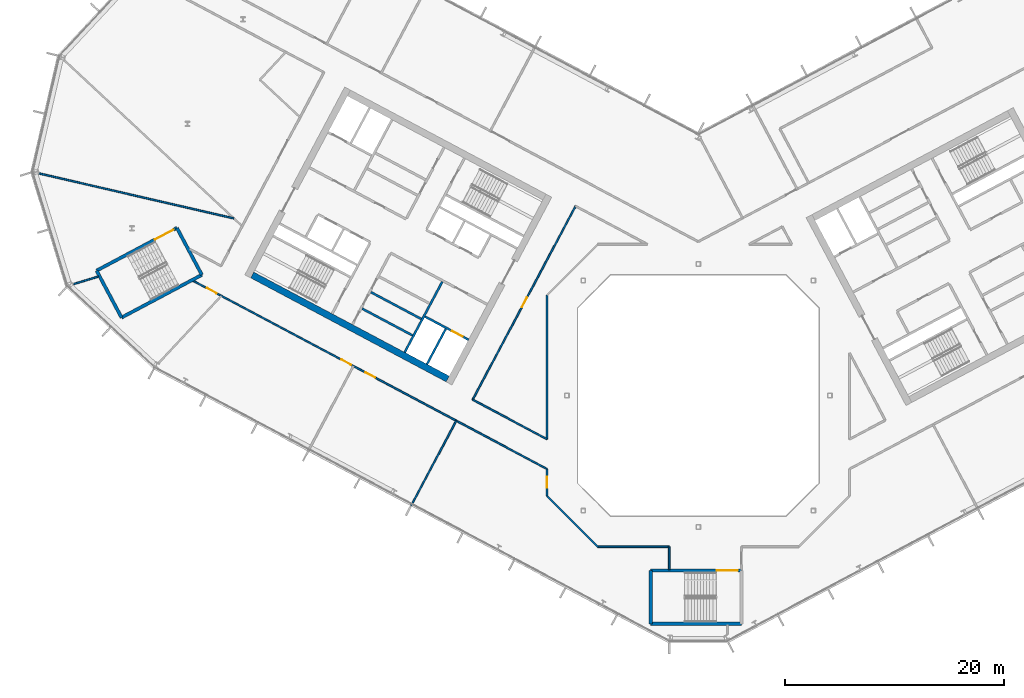
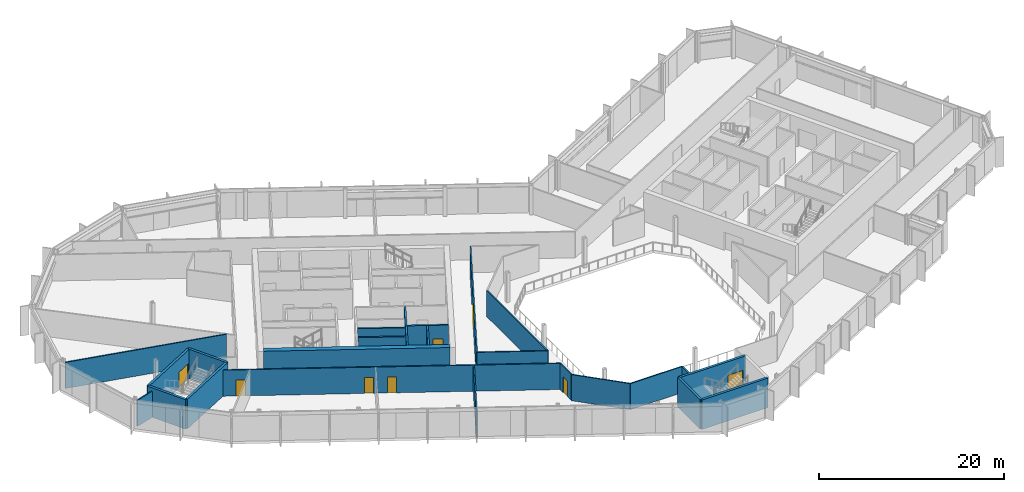
# One storey, part 12 of 26: 24 walls, 8 doors, 8 openings.
"""IFC4 building model written with IfcOpenShell, lengths in metres."""

from ifc_helpers import new_model, si_unit, direction, frame, frame_2d, origin, place, context, subcontext, project, spatial, rectangle, extrude, material, layer, layer_set, type_object, element, fill, save


model = new_model("IFC4")

# Units and contexts
model_context = context("Model", 3, precision=1e-05, world=origin(), true_north=direction((0.0, 1.0)))
body_context = subcontext(model_context, "Body", "Model", "MODEL_VIEW")
ifc_project = project(units=[si_unit("LENGTHUNIT", "METRE"), si_unit("AREAUNIT", "SQUARE_METRE"), si_unit("VOLUMEUNIT", "CUBIC_METRE"), si_unit("PLANEANGLEUNIT", "RADIAN"), si_unit("MASSUNIT", "GRAM", prefix="KILO")], contexts=[model_context])

# Site, building, storey
site_placement = place(None, origin())
site = spatial("IfcSite", under=ifc_project, at=site_placement, CompositionType="ELEMENT")
building_placement = place(site_placement, origin())
building = spatial("IfcBuilding", under=site, at=building_placement, Name="Cormorant Relay Tower", CompositionType="ELEMENT")
storey_placement = place(building_placement, frame((0.0, 0.0, 248.10009765625)))
storey = spatial("IfcBuildingStorey", under=building, at=storey_placement, Name="L55", CompositionType="ELEMENT", Elevation=248.10009765625)

# Walls
ifc_material_1 = material(Name="Concrete 40 MPa", Category="concrete")
ifc_layer_1 = layer(ifc_material_1, 0.199951171875)
ifc_layer_set_1 = layer_set([ifc_layer_1], Name="Core internal wall 200")
wall_type_1 = type_object("IfcWallType", Name="Core internal wall 200", PredefinedType="SOLIDWALL", material=ifc_layer_set_1)
for number, where, z_axis, x_axis, name in (
    (1, (-25.279541015625, 6.985595703125, 0.0), (0.0, 0.0, 1.0), (-0.882934506056, 0.469496174655, 0.0), "L55 core A shaft and room wall"),
    (2, (-26.07763671875, 5.484619140625, 0.0), (0.0, 0.0, 1.0), (-0.882934506056, 0.469496174655, 0.0), "L55 core A shaft and room wall"),
):
    element("IfcWall", number, at=place(storey_placement, frame(where, z_axis=z_axis, x_axis=x_axis)), inside=storey, type_object=wall_type_1, Name=name, PredefinedType="SOLIDWALL", context=body_context, shape_type="SweptSolid", body=[
        extrude(rectangle(XDim=5.199951171875, YDim=0.199951171875, at=frame_2d((2.60009765625, 0.0))), origin(), (0.0, 0.0, 1.0), 3.89990234375),
    ])
ifc_material_2 = material(Name="Concrete 50 MPa", Category="concrete")
ifc_layer_2 = layer(ifc_material_2, 0.199951171875)
ifc_layer_set_2 = layer_set([ifc_layer_2], Name="Core shaft wall 200")
wall_type_2 = type_object("IfcWallType", Name="Core shaft wall 200", PredefinedType="SHEAR", material=ifc_layer_set_2)
wall_1_placement = place(storey_placement, frame((-23.04296875, 6.07958984375, 0.0), z_axis=(0.0, 0.0, 1.0), x_axis=(-0.469494272526, -0.882935517501, 0.0)))
element("IfcWall", 3, at=wall_1_placement, inside=storey, type_object=wall_type_2, Name="L55 core A shaft wall", PredefinedType="SHEAR", context=body_context, shape_type="SweptSolid", body=[
    extrude(rectangle(XDim=3.64990234375, YDim=0.199951171875, at=frame_2d((1.824951171875, 0.0))), origin(), (0.0, 0.0, 1.0), 3.89990234375),
])
wall_2_placement = place(storey_placement, frame((-23.360107421875, 10.38232421875, 0.0), z_axis=(0.0, 0.0, 1.0), x_axis=(-0.469480409012, -0.88294288918, 0.0)))
element("IfcWall", 4, at=wall_2_placement, inside=storey, type_object=wall_type_2, Name="L55 core A shaft wall", PredefinedType="SHEAR", context=body_context, shape_type="SweptSolid", body=[
    extrude(rectangle(XDim=7.300048828125, YDim=0.199951171875, at=frame_2d((3.64990234375, 0.0))), origin(), (0.0, 0.0, 1.0), 3.89990234375),
])

# Wall, opening, door
wall_3_placement = place(storey_placement, frame((-20.96533203125, 5.088134765625, 0.0), z_axis=(0.0, 0.0, 1.0), x_axis=(-0.882925986334, 0.469512196493, 0.0)))
wall_3 = element("IfcWall", 5, at=wall_3_placement, inside=storey, type_object=wall_type_2, Name="L55 core A shaft wall", PredefinedType="SHEAR", context=body_context, shape_type="SweptSolid", body=[
    extrude(rectangle(XDim=4.5, YDim=0.199951171875, at=frame_2d((2.25, 0.0))), origin(), (0.0, 0.0, 1.0), 3.89990234375),
])
opening_1_placement = place(wall_3_placement, frame((0.60009765625, 0.0, 0.0)))
opening_1 = element("IfcOpeningElement", 6, at=opening_1_placement, cuts=wall_3, Name="Opening LD1-063", PredefinedType="OPENING", context=body_context, shape_type="SweptSolid", body=[
    extrude(rectangle(XDim=1.10009765625, YDim=2.10009765625, at=frame_2d((0.550048828125, 1.050048828125))), frame((0.0, 0.10986328125, 0.0), z_axis=(0.0, -1.0, 0.0), x_axis=(1.0, 0.0, 0.0)), (0.0, 0.0, 1.0), 0.219970703125),
])
ifc_material_3 = material(Name="Stainless steel 316", Category="steel")
door_type_1 = type_object("IfcDoorType", Name="Lift landing door 1100x2100", OperationType="DOUBLE_DOOR_SLIDING", PredefinedType="DOOR", material=ifc_material_3)
door_1_placement = place(opening_1_placement, origin())
door_1 = element("IfcDoor", 7, at=door_1_placement, inside=storey, type_object=door_type_1, Name="FF1 landing door", OperationType="DOUBLE_DOOR_SLIDING", OverallHeight=2.10009765625, OverallWidth=1.10009765625, PredefinedType="DOOR", context=body_context, shape_type="SweptSolid", body=[
    extrude(rectangle(XDim=1.10009765625, YDim=2.10009765625, at=frame_2d((0.550048828125, 1.050048828125))), frame((0.0, 0.02490234375, 0.0), z_axis=(0.0, -1.0, 0.0), x_axis=(1.0, 0.0, 0.0)), (0.0, 0.0, 1.0), 0.050048828125),
])
fill(opening_1, door_1)

# Wall
ifc_material_4 = material(Name="Concrete 50 MPa", Category="concrete")
ifc_layer_3 = layer(ifc_material_4, 0.60009765625)
ifc_layer_set_3 = layer_set([ifc_layer_3], Name="Core wall 600")
wall_type_3 = type_object("IfcWallType", Name="Core wall 600", PredefinedType="SHEAR", material=ifc_layer_set_3)
wall_4_placement = place(storey_placement, frame((-22.86669921875, 1.51220703125, 0.0), z_axis=(0.0, 0.0, 1.0), x_axis=(-0.88294509198, 0.469476266226, 0.0)))
element("IfcWall", 8, at=wall_4_placement, inside=storey, type_object=wall_type_3, Name="L55 core A wall", PredefinedType="SHEAR", context=body_context, shape_type="SweptSolid", body=[
    extrude(rectangle(XDim=20.199951171875, YDim=0.60009765625, at=frame_2d((10.10009765625, 0.0))), origin(), (0.0, 0.0, 1.0), 3.89990234375),
])

# Wall, opening, door
ifc_material_5 = material(Name="Gypsum board fire partition")
ifc_layer_4 = layer(ifc_material_5, 0.14990234375)
ifc_layer_set_4 = layer_set([ifc_layer_4], Name="Corridor partition 150 EI 60")
wall_type_4 = type_object("IfcWallType", Name="Corridor partition 150 EI 60", PredefinedType="PARTITIONING", material=ifc_layer_set_4)
wall_5_placement = place(storey_placement, frame((-13.800048828125, -9.159912109375, 0.0), z_axis=(0.0, 0.0, 1.0), x_axis=(0.0, 1.0, 0.0)))
wall_5 = element("IfcWall", 9, at=wall_5_placement, inside=storey, type_object=wall_type_4, Name="wall/L55/part/014", PredefinedType="PARTITIONING", context=body_context, shape_type="SweptSolid", body=[
    extrude(rectangle(XDim=2.453857421875, YDim=0.14990234375, at=frame_2d((1.22705078125, 0.0))), origin(), (0.0, 0.0, 1.0), 3.449951171875),
])
opening_2_placement = place(wall_5_placement, frame((0.75, 0.0, 0.0)))
opening_2 = element("IfcOpeningElement", 10, at=opening_2_placement, cuts=wall_5, Name="Opening DS-180", PredefinedType="OPENING", context=body_context, shape_type="SweptSolid", body=[
    extrude(rectangle(XDim=1.0, YDim=2.10009765625, at=frame_2d((0.5, 1.050048828125))), frame((0.0, 0.0849609375, 0.0), z_axis=(0.0, -1.0, 0.0), x_axis=(1.0, 0.0, 0.0)), (0.0, 0.0, 1.0), 0.169921875),
])
ifc_material_6 = material(Name="Timber door leaf", Category="wood")
door_type_2 = type_object("IfcDoorType", Name="Suite door 1000x2100", OperationType="SINGLE_SWING_LEFT", PredefinedType="DOOR", material=ifc_material_6)
door_2_placement = place(opening_2_placement, origin())
door_2 = element("IfcDoor", 11, at=door_2_placement, inside=storey, type_object=door_type_2, Name="door/L55/009", OperationType="SINGLE_SWING_RIGHT", OverallHeight=2.10009765625, OverallWidth=1.0, PredefinedType="DOOR", context=body_context, shape_type="SweptSolid", body=[
    extrude(rectangle(XDim=1.0, YDim=2.10009765625, at=frame_2d((0.5, 1.050048828125))), frame((0.0, 0.02490234375, 0.0), z_axis=(0.0, -1.0, 0.0), x_axis=(1.0, 0.0, 0.0)), (0.0, 0.0, 1.0), 0.050048828125),
])
fill(opening_2, door_2)

# Wall, openings, doors
wall_6_placement = place(storey_placement, frame((-13.800048828125, -6.7060546875, 0.0), z_axis=(0.0, 0.0, 1.0), x_axis=(-0.882947286887, 0.469472138235, 0.0)))
wall_6 = element("IfcWall", 12, at=wall_6_placement, inside=storey, type_object=wall_type_4, Name="wall/L55/part/015", PredefinedType="PARTITIONING", context=body_context, shape_type="SweptSolid", body=[
    extrude(rectangle(XDim=36.57080078125, YDim=0.14990234375, at=frame_2d((18.285400390625, 0.0))), origin(), (0.0, 0.0, 1.0), 3.449951171875),
])
opening_3_placement = place(wall_6_placement, frame((34.14990234375, 0.0, 0.0)))
opening_3 = element("IfcOpeningElement", 13, at=opening_3_placement, cuts=wall_6, Name="Opening DS-177", PredefinedType="OPENING", context=body_context, shape_type="SweptSolid", body=[
    extrude(rectangle(XDim=1.0, YDim=2.10009765625, at=frame_2d((0.5, 1.050048828125))), frame((0.0, 0.0849609375, 0.0), z_axis=(0.0, -1.0, 0.0), x_axis=(1.0, 0.0, 0.0)), (0.0, 0.0, 1.0), 0.169921875),
])
opening_4_placement = place(wall_6_placement, frame((20.25, 0.0, 0.0)))
opening_4 = element("IfcOpeningElement", 14, at=opening_4_placement, cuts=wall_6, Name="Opening DS-178", PredefinedType="OPENING", context=body_context, shape_type="SweptSolid", body=[
    extrude(rectangle(XDim=1.0, YDim=2.10009765625, at=frame_2d((0.5, 1.050048828125))), frame((0.0, 0.0849609375, 0.0), z_axis=(0.0, -1.0, 0.0), x_axis=(1.0, 0.0, 0.0)), (0.0, 0.0, 1.0), 0.169921875),
])
opening_5_placement = place(wall_6_placement, frame((17.75, 0.0, 0.0)))
opening_5 = element("IfcOpeningElement", 15, at=opening_5_placement, cuts=wall_6, Name="Opening DS-179", PredefinedType="OPENING", context=body_context, shape_type="SweptSolid", body=[
    extrude(rectangle(XDim=1.0, YDim=2.10009765625, at=frame_2d((0.5, 1.050048828125))), frame((0.0, 0.0849609375, 0.0), z_axis=(0.0, -1.0, 0.0), x_axis=(1.0, 0.0, 0.0)), (0.0, 0.0, 1.0), 0.169921875),
])
door_3_placement = place(opening_3_placement, origin())
door_3 = element("IfcDoor", 16, at=door_3_placement, inside=storey, type_object=door_type_2, Name="door/L55/006", OperationType="SINGLE_SWING_LEFT", OverallHeight=2.10009765625, OverallWidth=1.0, PredefinedType="DOOR", context=body_context, shape_type="SweptSolid", body=[
    extrude(rectangle(XDim=1.0, YDim=2.10009765625, at=frame_2d((0.5, 1.050048828125))), frame((0.0, 0.02490234375, 0.0), z_axis=(0.0, -1.0, 0.0), x_axis=(1.0, 0.0, 0.0)), (0.0, 0.0, 1.0), 0.050048828125),
])
fill(opening_3, door_3)
door_4_placement = place(opening_4_placement, origin())
door_4 = element("IfcDoor", 17, at=door_4_placement, inside=storey, type_object=door_type_2, Name="door/L55/007", OperationType="SINGLE_SWING_LEFT", OverallHeight=2.10009765625, OverallWidth=1.0, PredefinedType="DOOR", context=body_context, shape_type="SweptSolid", body=[
    extrude(rectangle(XDim=1.0, YDim=2.10009765625, at=frame_2d((0.5, 1.050048828125))), frame((0.0, 0.02490234375, 0.0), z_axis=(0.0, -1.0, 0.0), x_axis=(1.0, 0.0, 0.0)), (0.0, 0.0, 1.0), 0.050048828125),
])
fill(opening_4, door_4)
door_5_placement = place(opening_5_placement, origin())
door_5 = element("IfcDoor", 18, at=door_5_placement, inside=storey, type_object=door_type_2, Name="door/L55/008", OperationType="SINGLE_SWING_RIGHT", OverallHeight=2.10009765625, OverallWidth=1.0, PredefinedType="DOOR", context=body_context, shape_type="SweptSolid", body=[
    extrude(rectangle(XDim=1.0, YDim=2.10009765625, at=frame_2d((0.5, 1.050048828125))), frame((0.0, 0.02490234375, 0.0), z_axis=(0.0, -1.0, 0.0), x_axis=(1.0, 0.0, 0.0)), (0.0, 0.0, 1.0), 0.050048828125),
])
fill(opening_5, door_5)

# Walls
wall_7_placement = place(storey_placement, frame((-13.800048828125, -9.159912109375, 0.0), z_axis=(0.0, 0.0, 1.0), x_axis=(0.707106781187, -0.707106781187, 0.0)))
element("IfcWall", 19, at=wall_7_placement, inside=storey, type_object=wall_type_4, Name="wall/L55/part/022", PredefinedType="PARTITIONING", context=body_context, shape_type="SweptSolid", body=[
    extrude(rectangle(XDim=6.562255859375, YDim=0.14990234375, at=frame_2d((3.28125, 0.0))), origin(), (0.0, 0.0, 1.0), 3.449951171875),
])
wall_8_placement = place(storey_placement, frame((-2.64892578125, -15.875, 0.0), z_axis=(0.0, 0.0, 1.0), x_axis=(0.0, 1.0, 0.0)))
element("IfcWall", 20, at=wall_8_placement, inside=storey, type_object=wall_type_4, Name="wall/L55/part/023", PredefinedType="PARTITIONING", context=body_context, shape_type="SweptSolid", body=[
    extrude(rectangle(XDim=2.074951171875, YDim=0.14990234375, at=frame_2d((1.03759765625, 0.0))), origin(), (0.0, 0.0, 1.0), 3.449951171875),
])
wall_9_placement = place(storey_placement, frame((-2.64892578125, -13.800048828125, 0.0), z_axis=(0.0, 0.0, 1.0), x_axis=(-1.0, 0.0, 0.0)))
element("IfcWall", 21, at=wall_9_placement, inside=storey, type_object=wall_type_4, Name="wall/L55/part/024", PredefinedType="PARTITIONING", context=body_context, shape_type="SweptSolid", body=[
    extrude(rectangle(XDim=6.510986328125, YDim=0.14990234375, at=frame_2d((3.25537109375, 0.0))), origin(), (0.0, 0.0, 1.0), 3.449951171875),
])

# Wall, opening, door
wall_10_placement = place(storey_placement, frame((-20.587890625, -0.37890625, 0.0), z_axis=(0.0, 0.0, 1.0), x_axis=(0.469489882812, 0.882937851685, 0.0)))
wall_10 = element("IfcWall", 22, at=wall_10_placement, inside=storey, type_object=wall_type_4, Name="wall/L55/part/040", PredefinedType="PARTITIONING", context=body_context, shape_type="SweptSolid", body=[
    extrude(rectangle(XDim=20.000244140625, YDim=0.14990234375, at=frame_2d((10.0, 0.0))), origin(), (0.0, 0.0, 1.0), 3.449951171875),
])
opening_6_placement = place(wall_10_placement, frame((9.550048828125, 0.0, 0.0)))
opening_6 = element("IfcOpeningElement", 23, at=opening_6_placement, cuts=wall_10, Name="Opening DS-181", PredefinedType="OPENING", context=body_context, shape_type="SweptSolid", body=[
    extrude(rectangle(XDim=1.0, YDim=2.10009765625, at=frame_2d((0.5, 1.050048828125))), frame((0.0, 0.0849609375, 0.0), z_axis=(0.0, -1.0, 0.0), x_axis=(1.0, 0.0, 0.0)), (0.0, 0.0, 1.0), 0.169921875),
])
door_6_placement = place(opening_6_placement, frame((1.0, 0.0, 0.0), z_axis=(0.0, 0.0, 1.0), x_axis=(-1.0, 0.0, 0.0)))
door_6 = element("IfcDoor", 24, at=door_6_placement, inside=storey, type_object=door_type_2, Name="door/L55/010", OperationType="SINGLE_SWING_LEFT", OverallHeight=2.10009765625, OverallWidth=1.0, PredefinedType="DOOR", context=body_context, shape_type="SweptSolid", body=[
    extrude(rectangle(XDim=1.0, YDim=2.10009765625, at=frame_2d((0.5, 1.050048828125))), frame((0.0, 0.02490234375, 0.0), z_axis=(0.0, -1.0, 0.0), x_axis=(1.0, 0.0, 0.0)), (0.0, 0.0, 1.0), 0.050048828125),
])
fill(opening_6, door_6)

# Walls
wall_11_placement = place(storey_placement, frame((-13.800048828125, 9.159912109375, 0.0), z_axis=(0.0, 0.0, 1.0), x_axis=(0.0, -1.0, 0.0)))
element("IfcWall", 25, at=wall_11_placement, inside=storey, type_object=wall_type_4, Name="wall/L55/part/044", PredefinedType="PARTITIONING", context=body_context, shape_type="SweptSolid", body=[
    extrude(rectangle(XDim=13.14794921875, YDim=0.14990234375, at=frame_2d((6.573974609375, 0.0))), origin(), (0.0, 0.0, 1.0), 3.449951171875),
])
wall_12_placement = place(storey_placement, frame((-13.800048828125, -3.988037109375, 0.0), z_axis=(0.0, 0.0, 1.0), x_axis=(-0.882949137368, 0.469468657976, 0.0)))
element("IfcWall", 26, at=wall_12_placement, inside=storey, type_object=wall_type_4, Name="wall/L55/part/045", PredefinedType="PARTITIONING", context=body_context, shape_type="SweptSolid", body=[
    extrude(rectangle(XDim=7.687744140625, YDim=0.14990234375, at=frame_2d((3.84375, 0.0))), origin(), (0.0, 0.0, 1.0), 3.449951171875),
])
ifc_material_7 = material(Name="Concrete 50 MPa", Category="concrete")
ifc_layer_5 = layer(ifc_material_7, 0.300048828125)
ifc_layer_set_5 = layer_set([ifc_layer_5], Name="Remote stair wall 300")
wall_type_5 = type_object("IfcWallType", Name="Remote stair wall 300", PredefinedType="SHEAR", material=ifc_layer_set_5)
wall_13_placement = place(storey_placement, frame((3.949951171875, -20.824951171875, 0.0), z_axis=(0.0, 0.0, 1.0), x_axis=(-1.0, 0.0, 0.0)))
element("IfcWall", 27, at=wall_13_placement, inside=storey, type_object=wall_type_5, Name="L55 exit stair RK1 wall", PredefinedType="SHEAR", context=body_context, shape_type="SweptSolid", body=[
    extrude(rectangle(XDim=8.300048828125, YDim=0.300048828125, at=frame_2d((4.14990234375, 0.0))), origin(), (0.0, 0.0, 1.0), 3.89990234375),
])
wall_14_placement = place(storey_placement, frame((-4.35009765625, -20.824951171875, 0.0), z_axis=(0.0, 0.0, 1.0), x_axis=(0.0, 1.0, 0.0)))
element("IfcWall", 28, at=wall_14_placement, inside=storey, type_object=wall_type_5, Name="L55 exit stair RK1 wall", PredefinedType="SHEAR", context=body_context, shape_type="SweptSolid", body=[
    extrude(rectangle(XDim=4.849853515625, YDim=0.300048828125, at=frame_2d((2.4248046875, 0.0))), origin(), (0.0, 0.0, 1.0), 3.89990234375),
])

# Wall, opening, door
wall_15_placement = place(storey_placement, frame((-4.35009765625, -15.97509765625, 0.0), z_axis=(0.0, 0.0, 1.0), x_axis=(1.0, 0.0, 0.0)))
wall_15 = element("IfcWall", 29, at=wall_15_placement, inside=storey, type_object=wall_type_5, Name="L55 exit stair RK1 wall", PredefinedType="SHEAR", context=body_context, shape_type="SweptSolid", body=[
    extrude(rectangle(XDim=8.300048828125, YDim=0.300048828125, at=frame_2d((4.14990234375, 0.0))), origin(), (0.0, 0.0, 1.0), 3.89990234375),
])
opening_7_placement = place(wall_15_placement, frame((6.050048828125, 0.0, 0.0)))
opening_7 = element("IfcOpeningElement", 30, at=opening_7_placement, cuts=wall_15, Name="Opening CDE-014", PredefinedType="OPENING", context=body_context, shape_type="SweptSolid", body=[
    extrude(rectangle(XDim=1.89990234375, YDim=2.10009765625, at=frame_2d((0.949951171875, 1.050048828125))), frame((0.0, 0.159912109375, 0.0), z_axis=(0.0, -1.0, 0.0), x_axis=(1.0, 0.0, 0.0)), (0.0, 0.0, 1.0), 0.320068359375),
])
ifc_material_8 = material(Name="Steel fire door", Category="steel")
door_type_3 = type_object("IfcDoorType", Name="Remote stair door 1900x2100", OperationType="DOUBLE_DOOR_SINGLE_SWING", PredefinedType="DOOR", material=ifc_material_8)
door_7_placement = place(opening_7_placement, frame((1.89990234375, 0.0, 0.0), z_axis=(0.0, 0.0, 1.0), x_axis=(-1.0, 0.0, 0.0)))
door_7 = element("IfcDoor", 31, at=door_7_placement, inside=storey, type_object=door_type_3, Name="Exit stair RK1 door", OperationType="DOUBLE_DOOR_SINGLE_SWING", OverallHeight=2.10009765625, OverallWidth=1.89990234375, PredefinedType="DOOR", context=body_context, shape_type="SweptSolid", body=[
    extrude(rectangle(XDim=1.89990234375, YDim=2.10009765625, at=frame_2d((0.949951171875, 1.050048828125))), frame((0.0, 0.02490234375, 0.0), z_axis=(0.0, -1.0, 0.0), x_axis=(1.0, 0.0, 0.0)), (0.0, 0.0, 1.0), 0.050048828125),
])
fill(opening_7, door_7)

# Walls
wall_16_placement = place(storey_placement, frame((-47.57421875, 15.28955078125, 0.0), z_axis=(0.0, 0.0, 1.0), x_axis=(0.469443498566, -0.882962514297, 0.0)))
element("IfcWall", 32, at=wall_16_placement, inside=storey, type_object=wall_type_5, Name="L55 exit stair RP1 wall", PredefinedType="SHEAR", context=body_context, shape_type="SweptSolid", body=[
    extrude(rectangle(XDim=4.85009765625, YDim=0.300048828125, at=frame_2d((2.425048828125, 0.0))), origin(), (0.0, 0.0, 1.0), 3.89990234375),
])
wall_17_placement = place(storey_placement, frame((-45.29736328125, 11.007080078125, 0.0), z_axis=(0.0, 0.0, 1.0), x_axis=(-0.882951519127, -0.469464178475, 0.0)))
element("IfcWall", 33, at=wall_17_placement, inside=storey, type_object=wall_type_5, Name="L55 exit stair RP1 wall", PredefinedType="SHEAR", context=body_context, shape_type="SweptSolid", body=[
    extrude(rectangle(XDim=8.2998046875, YDim=0.300048828125, at=frame_2d((4.14990234375, 0.0))), origin(), (0.0, 0.0, 1.0), 3.89990234375),
])
wall_18_placement = place(storey_placement, frame((-52.625732421875, 7.110595703125, 0.0), z_axis=(0.0, 0.0, 1.0), x_axis=(-0.469464364128, 0.882951420416, 0.0)))
element("IfcWall", 34, at=wall_18_placement, inside=storey, type_object=wall_type_5, Name="L55 exit stair RP1 wall", PredefinedType="SHEAR", context=body_context, shape_type="SweptSolid", body=[
    extrude(rectangle(XDim=4.849853515625, YDim=0.300048828125, at=frame_2d((2.4248046875, 0.0))), origin(), (0.0, 0.0, 1.0), 3.89990234375),
])

# Wall, opening, door
wall_19_placement = place(storey_placement, frame((-54.902587890625, 11.392822265625, 0.0), z_axis=(0.0, 0.0, 1.0), x_axis=(0.882939326045, 0.469487110071, 0.0)))
wall_19 = element("IfcWall", 35, at=wall_19_placement, inside=storey, type_object=wall_type_5, Name="L55 exit stair RP1 wall", PredefinedType="SHEAR", context=body_context, shape_type="SweptSolid", body=[
    extrude(rectangle(XDim=8.300048828125, YDim=0.300048828125, at=frame_2d((4.14990234375, 0.0))), origin(), (0.0, 0.0, 1.0), 3.89990234375),
])
opening_8_placement = place(wall_19_placement, frame((6.050048828125, 0.0, 0.0)))
opening_8 = element("IfcOpeningElement", 36, at=opening_8_placement, cuts=wall_19, Name="Opening CDE-015", PredefinedType="OPENING", context=body_context, shape_type="SweptSolid", body=[
    extrude(rectangle(XDim=1.89990234375, YDim=2.10009765625, at=frame_2d((0.949951171875, 1.050048828125))), frame((0.0, 0.159912109375, 0.0), z_axis=(0.0, -1.0, 0.0), x_axis=(1.0, 0.0, 0.0)), (0.0, 0.0, 1.0), 0.320068359375),
])
door_8_placement = place(opening_8_placement, frame((1.89990234375, 0.0, 0.0), z_axis=(0.0, 0.0, 1.0), x_axis=(-1.0, 0.0, 0.0)))
door_8 = element("IfcDoor", 37, at=door_8_placement, inside=storey, type_object=door_type_3, Name="Exit stair RP1 door", OperationType="DOUBLE_DOOR_SINGLE_SWING", OverallHeight=2.10009765625, OverallWidth=1.89990234375, PredefinedType="DOOR", context=body_context, shape_type="SweptSolid", body=[
    extrude(rectangle(XDim=1.89990234375, YDim=2.10009765625, at=frame_2d((0.949951171875, 1.050048828125))), frame((0.0, 0.02490234375, 0.0), z_axis=(0.0, -1.0, 0.0), x_axis=(1.0, 0.0, 0.0)), (0.0, 0.0, 1.0), 0.050048828125),
])
fill(opening_8, door_8)

# Walls
ifc_material_9 = material(Name="Gypsum board partition")
ifc_layer_6 = layer(ifc_material_9, 0.14990234375)
ifc_layer_set_6 = layer_set([ifc_layer_6], Name="Tenant partition 150")
wall_type_6 = type_object("IfcWallType", Name="Tenant partition 150", PredefinedType="PARTITIONING", material=ifc_layer_set_6)
wall_20_placement = place(storey_placement, frame((-60.162109375, 20.264892578125, 0.0), z_axis=(0.0, 0.0, 1.0), x_axis=(0.974367298847, -0.224963034603, 0.0)))
element("IfcWall", 38, at=wall_20_placement, inside=storey, type_object=wall_type_6, Name="wall/L55/part/001", PredefinedType="PARTITIONING", context=body_context, shape_type="SweptSolid", body=[
    extrude(rectangle(XDim=18.256103515625, YDim=0.14990234375, at=frame_2d((9.1279296875, 0.0))), origin(), (0.0, 0.0, 1.0), 3.449951171875),
])
wall_21_placement = place(storey_placement, frame((-54.73193359375, 10.85693359375, 0.0), z_axis=(0.0, 0.0, 1.0), x_axis=(-0.956308315689, -0.292360061129, 0.0)))
element("IfcWall", 39, at=wall_21_placement, inside=storey, type_object=wall_type_6, Name="wall/L55/part/005", PredefinedType="PARTITIONING", context=body_context, shape_type="SweptSolid", body=[
    extrude(rectangle(XDim=2.36669921875, YDim=0.14990234375, at=frame_2d((1.183349609375, 0.0))), origin(), (0.0, 0.0, 1.0), 3.449951171875),
])
wall_22_placement = place(storey_placement, frame((-22.0830078125, -2.302001953125, 0.0), z_axis=(0.0, 0.0, 1.0), x_axis=(-0.469445946219, -0.882961212952, 0.0)))
element("IfcWall", 40, at=wall_22_placement, inside=storey, type_object=wall_type_6, Name="wall/L55/part/018", PredefinedType="PARTITIONING", context=body_context, shape_type="SweptSolid", body=[
    extrude(rectangle(XDim=8.800048828125, YDim=0.14990234375, at=frame_2d((4.39990234375, 0.0))), origin(), (0.0, 0.0, 1.0), 3.449951171875),
])

save(model, "model.ifc")
